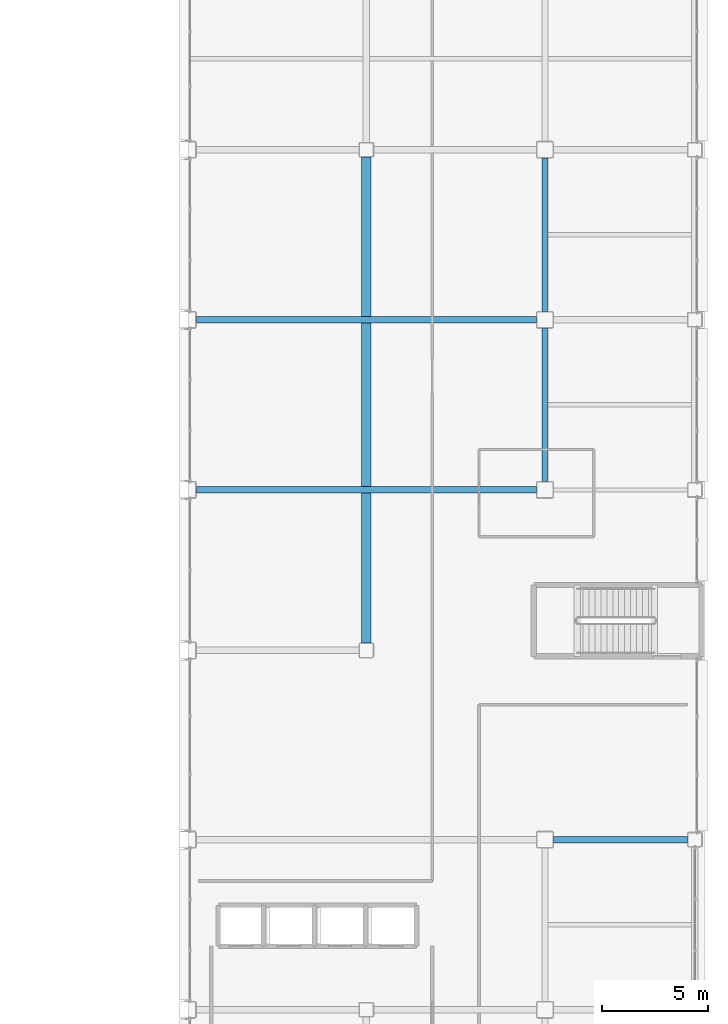
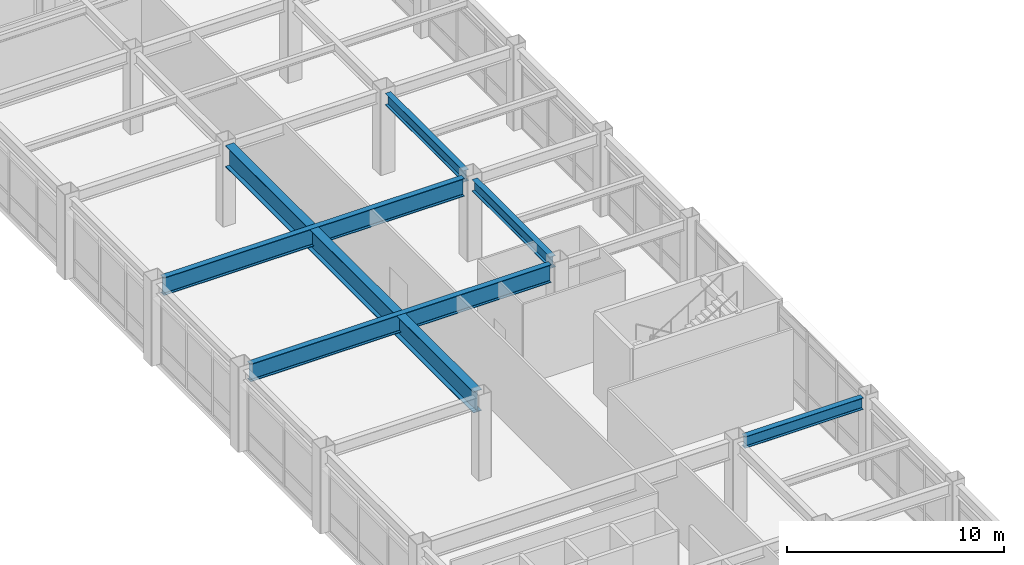
# One storey, part 103 of 154: 6 beams.
"""IFC4 building model written with IfcOpenShell, lengths in metres."""

import ifcopenshell
import ifcopenshell.guid

model = None  # the IFC model being written
_history = None  # IfcOwnerHistory: only IFC2X3 demands one
_inside = {}  # id of a spatial element -> (the spatial element, [elements in it])
_under = {}  # id of a project, library or spatial element -> (it, [spatial elements below it])
_declared = {}  # id of a project -> (the project, [libraries it declares])
_typed = {}  # id of a type object -> (the type object, [elements of that type])
_made_of = {}  # id of a material, layer set ... -> (it, [elements and type objects made of it])


def new_model(schema):
    """Start an empty IFC model of exactly this schema.

    Asked for "IFC4X3", IfcOpenShell would pick the latest addendum, in which some entities
    have other attributes; the version numbers below select the first issue.
    IFC2X3 requires an IfcOwnerHistory on every rooted entity: one is made here for all.
    """
    global model, _history
    if schema == "IFC4X3":
        model = ifcopenshell.file(schema_version=(4, 3, 0, 0))
    else:
        model = ifcopenshell.file(schema=schema)
    _inside.clear()
    _under.clear()
    _declared.clear()
    _typed.clear()
    _made_of.clear()
    _history = None
    if model.schema == "IFC2X3":
        org = make("IfcOrganization", Name="unknown")
        user = make(
            "IfcPersonAndOrganization",
            ThePerson=make("IfcPerson", FamilyName="unknown"),
            TheOrganization=org,
        )
        app = make(
            "IfcApplication",
            ApplicationDeveloper=org,
            Version="unknown",
            ApplicationFullName="unknown",
            ApplicationIdentifier="unknown",
        )
        _history = make(
            "IfcOwnerHistory",
            OwningUser=user,
            OwningApplication=app,
            ChangeAction="ADDED",
            CreationDate=0,
        )
    return model


def make(cls, **values):
    """One entity of the class cls with the attributes given. An attribute that is None is left unset."""
    return model.create_entity(
        cls, **{name: value for name, value in values.items() if value is not None}
    )


def rooted(cls, **values):
    """An entity with a GlobalId (a new one), such as an element, a storey or a relation."""
    return make(cls, GlobalId=ifcopenshell.guid.new(), OwnerHistory=_history, **values)


def si_unit(unit_type, name, prefix=None):
    """IfcSIUnit, for example si_unit("LENGTHUNIT", "METRE", prefix="MILLI")."""
    return make("IfcSIUnit", UnitType=unit_type, Prefix=prefix, Name=name)


def assignment(units):
    """IfcUnitAssignment: the units of a project."""
    return None if units is None else make("IfcUnitAssignment", Units=units)


def point(xyz):
    """IfcCartesianPoint."""
    return None if xyz is None else make("IfcCartesianPoint", Coordinates=xyz)


def direction(xyz):
    """IfcDirection."""
    return None if xyz is None else make("IfcDirection", DirectionRatios=xyz)


def frame(location, z_axis=None, x_axis=None):
    """IfcAxis2Placement3D, a coordinate frame: its origin and axes. An axis left out is left unset."""
    return make(
        "IfcAxis2Placement3D",
        Location=point(location),
        Axis=direction(z_axis),
        RefDirection=direction(x_axis),
    )


def frame_2d(location, x_axis=None):
    """IfcAxis2Placement2D, a coordinate frame in the plane: its origin and x axis."""
    return make(
        "IfcAxis2Placement2D", Location=point(location), RefDirection=direction(x_axis)
    )


def origin():
    """The frame at (0, 0, 0) with its axes left unset."""
    return frame((0.0, 0.0, 0.0))


def origin_2d():
    """The frame at (0, 0) in the plane with its x axis left unset."""
    return frame_2d((0.0, 0.0))


def place(relative_to, where):
    """IfcLocalPlacement: puts the frame where relative to a parent placement (None: the world)."""
    return make(
        "IfcLocalPlacement", PlacementRelTo=relative_to, RelativePlacement=where
    )


def context(
    kind, dimensions, precision=None, world=None, true_north=None, identifier=None
):
    """IfcGeometricRepresentationContext, for example the 3D "Model" context."""
    return make(
        "IfcGeometricRepresentationContext",
        ContextIdentifier=identifier,
        ContextType=kind,
        CoordinateSpaceDimension=dimensions,
        Precision=precision,
        WorldCoordinateSystem=world,
        TrueNorth=true_north,
    )


def subcontext(parent, identifier, kind, view, scale=None):
    """IfcGeometricRepresentationSubContext, for example "Body" below "Model"."""
    return make(
        "IfcGeometricRepresentationSubContext",
        ContextIdentifier=identifier,
        ContextType=kind,
        ParentContext=parent,
        TargetScale=scale,
        TargetView=view,
    )


def project(units=None, contexts=None):
    """IfcProject with its units and contexts."""
    return rooted(
        "IfcProject",
        Name="project",
        RepresentationContexts=contexts,
        UnitsInContext=assignment(units),
    )


def spatial(cls, under=None, at=None, **own):
    """A site, building, storey or space (cls), placed at a placement, below another one or the project."""
    s = rooted(cls, ObjectPlacement=at, **own)
    if under is not None:
        _under.setdefault(under.id(), (under, []))[1].append(s)
    return s


def profile(cls, at=None, kind="AREA", **sizes):
    """A parametric profile (cls). Its sizes go by their IFC names, for example OverallWidth=200.0."""
    return make(cls, ProfileType=kind, Position=at, **sizes)


def i_section(**sizes):
    """IfcIShapeProfileDef."""
    return profile("IfcIShapeProfileDef", **sizes)


def extrude(swept, where, along, depth):
    """IfcExtrudedAreaSolid: the profile swept, set in the frame where, extruded along a direction by depth."""
    return make(
        "IfcExtrudedAreaSolid",
        SweptArea=swept,
        Position=where,
        ExtrudedDirection=direction(along),
        Depth=depth,
    )


def shape(context_of_items, identifier, shape_type, items):
    """IfcShapeRepresentation: the items that make up one representation, for example the "Body"."""
    return make(
        "IfcShapeRepresentation",
        ContextOfItems=context_of_items,
        RepresentationIdentifier=identifier,
        RepresentationType=shape_type,
        Items=items,
    )


def material(Name=None, Category=None):
    """IfcMaterial."""
    return make("IfcMaterial", Name=Name, Category=Category)


def material_profile(
    of_material, cross_section, Name=None, Category=None, Priority=None
):
    """IfcMaterialProfile: a cross section and its material."""
    return make(
        "IfcMaterialProfile",
        Name=Name,
        Material=of_material,
        Profile=cross_section,
        Priority=Priority,
        Category=Category,
    )


def profile_set(profiles, Name=None, composite=None):
    """IfcMaterialProfileSet."""
    return make(
        "IfcMaterialProfileSet",
        Name=Name,
        MaterialProfiles=profiles,
        CompositeProfile=composite,
    )


def made_of(thing, what):
    """Note that an element or type object is made of a material, layer set ...; save() writes the relation."""
    if what is not None:
        _made_of.setdefault(what.id(), (what, []))[1].append(thing)
    return thing


def type_object(cls, material=None, **own):
    """A type object (cls), such as IfcWallType, which elements share."""
    return made_of(rooted(cls, **own), material)


def element(
    cls,
    number,
    at=None,
    inside=None,
    cuts=None,
    type_object=None,
    material=None,
    context=None,
    identifier="Body",
    shape_type=None,
    held_by="IfcProductDefinitionShape",
    body=None,
    shapes=None,
    **own,
):
    """One element of the class cls, such as IfcWall. Its Tag is "e" and its number.

    at: its placement. inside: the storey or other place that contains it. cuts: it is an
    opening in that element (IfcRelVoidsElement). A single representation is given by context,
    identifier, shape_type and body (its items); several are given by shapes. held_by: the class
    of the entity that holds the representations. save() writes the other relations.
    """
    e = rooted(cls, Tag="e%d" % number, ObjectPlacement=at, **own)
    if body is not None:
        shapes = [shape(context, identifier, shape_type, body)]
    if shapes is not None:
        e.Representation = make(held_by, Representations=shapes)
    if inside is not None:
        _inside.setdefault(inside.id(), (inside, []))[1].append(e)
    if cuts is not None:
        rooted(
            "IfcRelVoidsElement", RelatingBuildingElement=cuts, RelatedOpeningElement=e
        )
    if type_object is not None:
        _typed.setdefault(type_object.id(), (type_object, []))[1].append(e)
    return made_of(e, material)


def aggregate(whole, parts):
    """IfcRelAggregates: a whole, such as a stair, and the parts it consists of."""
    return rooted("IfcRelAggregates", RelatingObject=whole, RelatedObjects=parts)


def save(model, path):
    """Write the relations noted so far, then the file.

    IfcRelAggregates (storeys below a building ...), IfcRelContainedInSpatialStructure (elements
    in a storey), IfcRelDefinesByType, IfcRelAssociatesMaterial and IfcRelDeclares: one each for
    every whole, place, type object, material and project.
    """
    for whole, parts in _under.values():
        aggregate(whole, parts)
    for where, things in _inside.values():
        rooted(
            "IfcRelContainedInSpatialStructure",
            RelatedElements=things,
            RelatingStructure=where,
        )
    for kind, things in _typed.values():
        rooted("IfcRelDefinesByType", RelatedObjects=things, RelatingType=kind)
    for what, things in _made_of.values():
        rooted("IfcRelAssociatesMaterial", RelatedObjects=things, RelatingMaterial=what)
    for by, libraries in _declared.values():
        rooted("IfcRelDeclares", RelatingContext=by, RelatedDefinitions=libraries)
    model.write(path)


model = new_model("IFC4")

# Units and contexts
model_context = context("Model", 3, precision=1e-05, world=origin(), true_north=direction((0.0, 1.0)))
body_context = subcontext(model_context, "Body", "Model", "MODEL_VIEW")
ifc_project = project(units=[si_unit("LENGTHUNIT", "METRE"), si_unit("AREAUNIT", "SQUARE_METRE"), si_unit("VOLUMEUNIT", "CUBIC_METRE"), si_unit("PLANEANGLEUNIT", "RADIAN"), si_unit("MASSUNIT", "GRAM", prefix="KILO")], contexts=[model_context])

# Site, building, storey
site_placement = place(None, origin())
site = spatial("IfcSite", under=ifc_project, at=site_placement, CompositionType="ELEMENT")
building_placement = place(site_placement, origin())
building = spatial("IfcBuilding", under=site, at=building_placement, Name="Kazehara Bluff Congress Hotel", CompositionType="ELEMENT")
storey_placement = place(building_placement, frame((0.0, 0.0, 10.199951171875)))
storey = spatial("IfcBuildingStorey", under=building, at=storey_placement, Name="L02", CompositionType="ELEMENT", Elevation=10.199951171875)

# Beams
ifc_material_1 = material(Name="Steel SN490B", Category="steel")
ifc_material_profile_1 = material_profile(ifc_material_1, i_section(OverallWidth=0.300048828125, OverallDepth=0.64990234375, WebThickness=0.011962890625, FlangeThickness=0.02001953125, FilletRadius=0.012939453125, at=origin_2d()))
ifc_profile_set_1 = profile_set([ifc_material_profile_1], Name="Steel SN490B")
beam_type_1 = type_object("IfcBeamType", Name="TP-G-03", PredefinedType="BEAM", material=ifc_profile_set_1)
for number, where, z_axis, x_axis, name in (
    (1, (160.5, 81.300048828125, 4.235107421875), (0.0, 1.0, 0.0), (-1.0, 0.0, 0.0), "L02 girder G-03 165"),
    (2, (160.5, 89.300048828125, 4.235107421875), (0.0, 1.0, 0.0), (-1.0, 0.0, 0.0), "L02 girder G-03 166"),
):
    element("IfcBeam", number, at=place(storey_placement, frame(where, z_axis=z_axis, x_axis=x_axis)), inside=storey, type_object=beam_type_1, Name=name, PredefinedType="BEAM", context=body_context, shape_type="SweptSolid", body=[
        extrude(i_section(OverallWidth=0.300048828125, OverallDepth=0.64990234375, WebThickness=0.011962890625, FlangeThickness=0.02001953125, FilletRadius=0.012939453125, at=origin_2d()), origin(), (0.0, 0.0, 1.0), 7.199951171875),
    ])
beam_1_placement = place(storey_placement, frame((160.89990234375, 64.449951171875, 4.235107421875), z_axis=(1.0, 0.0, 0.0), x_axis=(0.0, 1.0, 0.0)))
element("IfcBeam", 3, at=beam_1_placement, inside=storey, type_object=beam_type_1, Name="L02 girder G-03 213", PredefinedType="BEAM", context=body_context, shape_type="SweptSolid", body=[
    extrude(i_section(OverallWidth=0.300048828125, OverallDepth=0.64990234375, WebThickness=0.011962890625, FlangeThickness=0.02001953125, FilletRadius=0.012939453125, at=origin_2d()), origin(), (0.0, 0.0, 1.0), 6.300048828125),
])
ifc_material_2 = material(Name="Steel SN490B", Category="steel")
ifc_material_profile_2 = material_profile(ifc_material_2, i_section(OverallWidth=0.300048828125, OverallDepth=1.0, WebThickness=0.01611328125, FlangeThickness=0.028076171875, FilletRadius=0.02197265625, at=origin_2d()))
ifc_profile_set_2 = profile_set([ifc_material_profile_2], Name="Steel SN490B")
beam_type_2 = type_object("IfcBeamType", Name="TP-G-09", PredefinedType="BEAM", material=ifc_profile_set_2)
for number, where, z_axis, x_axis, name in (
    (4, (144.10009765625, 80.89990234375, 4.06005859375), (1.0, 0.0, 0.0), (0.0, 1.0, 0.0), "L02 girder G-09 215"),
    (5, (144.10009765625, 88.89990234375, 4.06005859375), (1.0, 0.0, 0.0), (0.0, 1.0, 0.0), "L02 girder G-09 217"),
):
    element("IfcBeam", number, at=place(storey_placement, frame(where, z_axis=z_axis, x_axis=x_axis)), inside=storey, type_object=beam_type_2, Name=name, PredefinedType="BEAM", context=body_context, shape_type="SweptSolid", body=[
        extrude(i_section(OverallWidth=0.300048828125, OverallDepth=1.0, WebThickness=0.01611328125, FlangeThickness=0.028076171875, FilletRadius=0.02197265625, at=origin_2d()), origin(), (0.0, 0.0, 1.0), 16.0),
    ])
ifc_material_3 = material(Name="Steel SN490B", Category="steel")
ifc_material_profile_3 = material_profile(ifc_material_3, i_section(OverallWidth=0.449951171875, OverallDepth=1.199951171875, WebThickness=0.02001953125, FlangeThickness=0.031982421875, at=origin_2d()))
ifc_profile_set_3 = profile_set([ifc_material_profile_3], Name="Steel SN490B")
beam_type_3 = type_object("IfcBeamType", Name="TP-G-10", PredefinedType="BEAM", material=ifc_profile_set_3)
beam_2_placement = place(storey_placement, frame((152.10009765625, 73.699951171875, 3.9599609375), z_axis=(0.0, 1.0, 0.0), x_axis=(-1.0, 0.0, 0.0)))
element("IfcBeam", 6, at=beam_2_placement, inside=storey, type_object=beam_type_3, Name="L02 girder G-10 155", PredefinedType="BEAM", context=body_context, shape_type="SweptSolid", body=[
    extrude(i_section(OverallWidth=0.449951171875, OverallDepth=1.199951171875, WebThickness=0.02001953125, FlangeThickness=0.031982421875, at=origin_2d()), origin(), (0.0, 0.0, 1.0), 22.85009765625),
])

save(model, "model.ifc")
